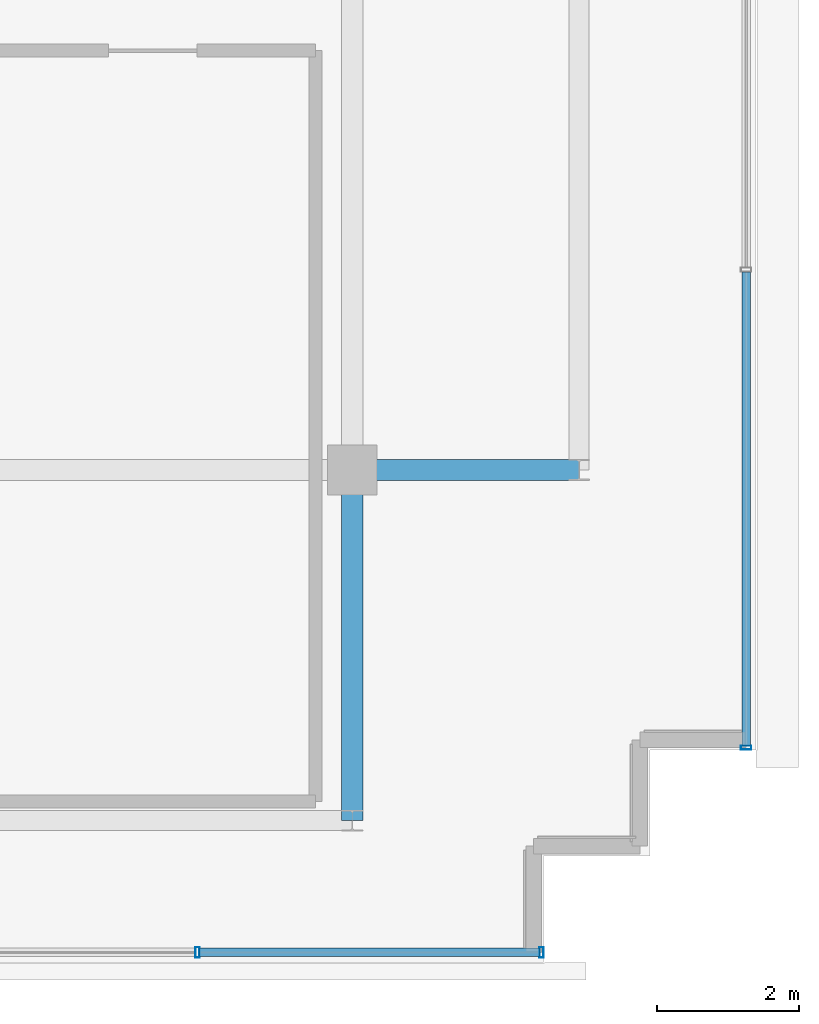
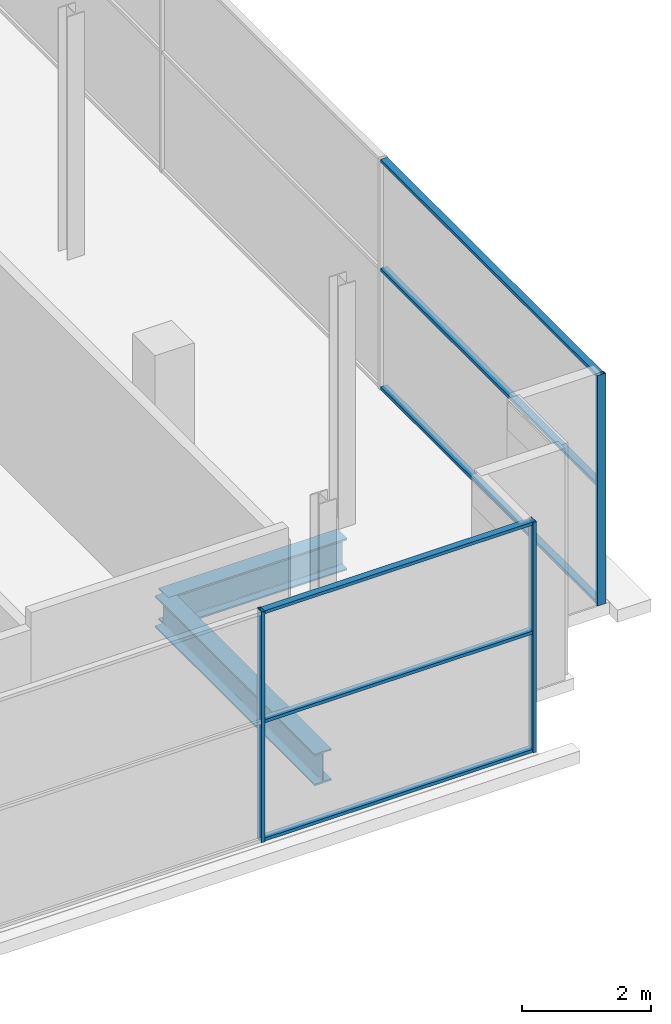
# One storey, part 15 of 28: 9 members, 2 beams, 2 elements without a shape of their own.
"""IFC4 building model written with IfcOpenShell, lengths in metres."""

from ifc_helpers import new_model, si_unit, direction, frame, origin, origin_2d, place, context, subcontext, project, spatial, hollow_rectangle, i_section, extrude, source, transform, mapped, material, layer, layer_set, material_profile, profile_set, type_object, element, aggregate, save


model = new_model("IFC4")

# Units and contexts
model_context = context("Model", 3, precision=1e-05, world=origin(), true_north=direction((0.0, 1.0)))
body_context = subcontext(model_context, "Body", "Model", "MODEL_VIEW")
ifc_project = project(units=[si_unit("LENGTHUNIT", "METRE"), si_unit("AREAUNIT", "SQUARE_METRE"), si_unit("VOLUMEUNIT", "CUBIC_METRE"), si_unit("PLANEANGLEUNIT", "RADIAN"), si_unit("MASSUNIT", "GRAM", prefix="KILO")], contexts=[model_context])

# Site, building, storey
site_placement = place(None, origin())
site = spatial("IfcSite", under=ifc_project, at=site_placement, CompositionType="ELEMENT")
building_placement = place(site_placement, origin())
building = spatial("IfcBuilding", under=site, at=building_placement, Name="Zarnakvel Exchange Tower", CompositionType="ELEMENT")
storey_placement = place(building_placement, frame((0.0, 0.0, 276.199951171875)))
storey = spatial("IfcBuildingStorey", under=building, at=storey_placement, Name="Crown L78", CompositionType="ELEMENT", Elevation=276.199951171875)

# Beams
ifc_material_1 = material(Name="Steel S355", Category="steel")
ifc_material_profile_1 = material_profile(ifc_material_1, i_section(OverallWidth=0.300048828125, OverallDepth=0.60009765625, WebThickness=0.015380859375, FlangeThickness=0.030029296875, FilletRadius=0.027099609375, at=origin_2d()))
ifc_profile_set_1 = profile_set([ifc_material_profile_1], Name="Steel S355")
beam_type = type_object("IfcBeamType", Name="G-04", PredefinedType="BEAM", material=ifc_profile_set_1)
beam_1_placement = place(storey_placement, frame((14.39990234375, -9.60009765625, -0.52001953125), z_axis=(1.0, 0.0, 0.0), x_axis=(0.0, 1.0, 0.0)))
element("IfcBeam", 1, at=beam_1_placement, inside=storey, type_object=beam_type, Name="Crown L78 Tower E-W Frame Beam", PredefinedType="BEAM", context=body_context, shape_type="SweptSolid", body=[
    extrude(i_section(OverallWidth=0.300048828125, OverallDepth=0.60009765625, WebThickness=0.015380859375, FlangeThickness=0.030029296875, FilletRadius=0.027099609375, at=origin_2d()), origin(), (0.0, 0.0, 1.0), 3.2001953125),
])
beam_2_placement = place(storey_placement, frame((14.39990234375, -14.550048828125, -0.52001953125), z_axis=(0.0, 1.0, 0.0), x_axis=(-1.0, 0.0, 0.0)))
element("IfcBeam", 2, at=beam_2_placement, inside=storey, type_object=beam_type, Name="Crown L78 Tower N-S Frame Beam", PredefinedType="BEAM", context=body_context, shape_type="SweptSolid", body=[
    extrude(i_section(OverallWidth=0.300048828125, OverallDepth=0.60009765625, WebThickness=0.015380859375, FlangeThickness=0.030029296875, FilletRadius=0.027099609375, at=origin_2d()), origin(), (0.0, 0.0, 1.0), 4.949951171875),
])

# Curtain wall, members
ifc_material_2 = material(Name="Architectural Bronze Anodised Aluminium", Category="aluminium")
ifc_layer = layer(ifc_material_2, 0.14990234375)
ifc_layer_set = layer_set([ifc_layer], Name="Architectural Bronze Anodised Aluminium")
curtain_wall_type = type_object("IfcCurtainWallType", Name="CW-07", PredefinedType="NOTDEFINED", material=ifc_layer_set)
curtain_wall_1_placement = place(storey_placement, origin())
curtain_wall_1 = element("IfcCurtainWall", 3, at=curtain_wall_1_placement, inside=storey, type_object=curtain_wall_type, Name="Crown L78 Curtain Wall CW-Crown L78-S (CW-07)", PredefinedType="NOTDEFINED")
ifc_material_profile_2 = material_profile(ifc_material_2, hollow_rectangle(XDim=0.14990234375, YDim=0.06005859375, WallThickness=0.00390625, at=origin_2d()))
ifc_profile_set_2 = profile_set([ifc_material_profile_2], Name="Architectural Bronze Anodised Aluminium")
member_type_1 = type_object("IfcMemberType", Name="CWM-07", PredefinedType="MULLION", material=ifc_profile_set_2)
shared_shape_1 = source(origin(), body_context, "Body", "SweptSolid", [
    extrude(hollow_rectangle(XDim=0.14990234375, YDim=0.06005859375, WallThickness=0.00390625, at=origin_2d()), origin(), (0.0, 0.0, 1.0), 4.360107421875),
])
member_1_placement = place(storey_placement, frame((12.21435546875, -16.409912109375, 0.0), z_axis=(0.0, 0.0, 1.0), x_axis=(0.0, 1.0, 0.0)))
member_1 = element("IfcMember", 4, at=member_1_placement, type_object=member_type_1, Name="CW-07 mullion 7", PredefinedType="MULLION", context=body_context, shape_type="MappedRepresentation", body=[
    mapped(shared_shape_1, transform((0.0, 0.0, 0.0), x_axis=(1.0, 0.0, 0.0), y_axis=(0.0, 1.0, 0.0), z_axis=(0.0, 0.0, 1.0), scale=1.0)),
])
member_2_placement = place(storey_placement, frame((17.070068359375, -16.409912109375, 0.0), z_axis=(0.0, 0.0, 1.0), x_axis=(0.0, 1.0, 0.0)))
member_2 = element("IfcMember", 5, at=member_2_placement, type_object=member_type_1, Name="CW-07 mullion 8", PredefinedType="MULLION", context=body_context, shape_type="MappedRepresentation", body=[
    mapped(shared_shape_1, transform((0.0, 0.0, 0.0), x_axis=(1.0, 0.0, 0.0), y_axis=(0.0, 1.0, 0.0), z_axis=(0.0, 0.0, 1.0), scale=1.0)),
])

# Curtain wall, member
curtain_wall_2_placement = place(storey_placement, origin())
curtain_wall_2 = element("IfcCurtainWall", 6, at=curtain_wall_2_placement, inside=storey, type_object=curtain_wall_type, Name="Crown L78 Curtain Wall CW-Crown L78-E (CW-07)", PredefinedType="NOTDEFINED")
member_3_placement = place(storey_placement, frame((19.9599609375, -13.52001953125, 0.0), z_axis=(0.0, 0.0, 1.0), x_axis=(-1.0, 0.0, 0.0)))
member_3 = element("IfcMember", 7, at=member_3_placement, type_object=member_type_1, Name="CW-07 mullion 1", PredefinedType="MULLION", context=body_context, shape_type="MappedRepresentation", body=[
    mapped(shared_shape_1, transform((0.0, 0.0, 0.0), x_axis=(1.0, 0.0, 0.0), y_axis=(0.0, 1.0, 0.0), z_axis=(0.0, 0.0, 1.0), scale=1.0)),
])

# Member
ifc_material_profile_3 = material_profile(ifc_material_2, hollow_rectangle(XDim=0.1201171875, YDim=0.06005859375, WallThickness=0.00390625, at=origin_2d()))
ifc_profile_set_3 = profile_set([ifc_material_profile_3], Name="Architectural Bronze Anodised Aluminium")
member_type_2 = type_object("IfcMemberType", Name="CWT-07", PredefinedType="USERDEFINED", material=ifc_profile_set_3)
shared_shape_2 = source(origin(), body_context, "Body", "SweptSolid", [
    extrude(hollow_rectangle(XDim=0.1201171875, YDim=0.06005859375, WallThickness=0.00390625, at=origin_2d()), origin(), (0.0, 0.0, 1.0), 4.795654296875),
])
member_4_placement = place(storey_placement, frame((12.244384765625, -16.409912109375, 0.030029296875), z_axis=(1.0, 0.0, 0.0), x_axis=(0.0, 1.0, 0.0)))
member_4 = element("IfcMember", 8, at=member_4_placement, type_object=member_type_2, Name="CW-07 transom 7.1", ObjectType="TRANSOM", PredefinedType="USERDEFINED", context=body_context, shape_type="MappedRepresentation", body=[
    mapped(shared_shape_2, transform((0.0, 0.0, 0.0), x_axis=(1.0, 0.0, 0.0), y_axis=(0.0, 1.0, 0.0), z_axis=(0.0, 0.0, 1.0), scale=1.0)),
])

member_5_placement = place(storey_placement, frame((12.244384765625, -16.409912109375, 2.267333984375), z_axis=(1.0, 0.0, 0.0), x_axis=(0.0, 1.0, 0.0)))
member_5 = element("IfcMember", 9, at=member_5_placement, type_object=member_type_2, Name="CW-07 transom 7.2", ObjectType="TRANSOM", PredefinedType="USERDEFINED", context=body_context, shape_type="MappedRepresentation", body=[
    mapped(shared_shape_2, transform((0.0, 0.0, 0.0), x_axis=(1.0, 0.0, 0.0), y_axis=(0.0, 1.0, 0.0), z_axis=(0.0, 0.0, 1.0), scale=1.0)),
])

member_6_placement = place(storey_placement, frame((12.244384765625, -16.409912109375, 4.330078125), z_axis=(1.0, 0.0, 0.0), x_axis=(0.0, 1.0, 0.0)))
member_6 = element("IfcMember", 10, at=member_6_placement, type_object=member_type_2, Name="CW-07 transom 7.3", ObjectType="TRANSOM", PredefinedType="USERDEFINED", context=body_context, shape_type="MappedRepresentation", body=[
    mapped(shared_shape_2, transform((0.0, 0.0, 0.0), x_axis=(1.0, 0.0, 0.0), y_axis=(0.0, 1.0, 0.0), z_axis=(0.0, 0.0, 1.0), scale=1.0)),
])

aggregate(curtain_wall_1, [member_1, member_2, member_4, member_5, member_6])

shared_shape_3 = source(origin(), body_context, "Body", "SweptSolid", [
    extrude(hollow_rectangle(XDim=0.1201171875, YDim=0.06005859375, WallThickness=0.00390625, at=origin_2d()), origin(), (0.0, 0.0, 1.0), 6.68505859375),
])
member_7_placement = place(storey_placement, frame((19.9599609375, -13.489990234375, 0.030029296875), z_axis=(0.0, 1.0, 0.0), x_axis=(-1.0, 0.0, 0.0)))
member_7 = element("IfcMember", 11, at=member_7_placement, type_object=member_type_2, Name="CW-07 transom 1.1", ObjectType="TRANSOM", PredefinedType="USERDEFINED", context=body_context, shape_type="MappedRepresentation", body=[
    mapped(shared_shape_3, transform((0.0, 0.0, 0.0), x_axis=(1.0, 0.0, 0.0), y_axis=(0.0, 1.0, 0.0), z_axis=(0.0, 0.0, 1.0), scale=1.0)),
])

member_8_placement = place(storey_placement, frame((19.9599609375, -13.489990234375, 2.267333984375), z_axis=(0.0, 1.0, 0.0), x_axis=(-1.0, 0.0, 0.0)))
member_8 = element("IfcMember", 12, at=member_8_placement, type_object=member_type_2, Name="CW-07 transom 1.2", ObjectType="TRANSOM", PredefinedType="USERDEFINED", context=body_context, shape_type="MappedRepresentation", body=[
    mapped(shared_shape_3, transform((0.0, 0.0, 0.0), x_axis=(1.0, 0.0, 0.0), y_axis=(0.0, 1.0, 0.0), z_axis=(0.0, 0.0, 1.0), scale=1.0)),
])

member_9_placement = place(storey_placement, frame((19.9599609375, -13.489990234375, 4.330078125), z_axis=(0.0, 1.0, 0.0), x_axis=(-1.0, 0.0, 0.0)))
member_9 = element("IfcMember", 13, at=member_9_placement, type_object=member_type_2, Name="CW-07 transom 1.3", ObjectType="TRANSOM", PredefinedType="USERDEFINED", context=body_context, shape_type="MappedRepresentation", body=[
    mapped(shared_shape_3, transform((0.0, 0.0, 0.0), x_axis=(1.0, 0.0, 0.0), y_axis=(0.0, 1.0, 0.0), z_axis=(0.0, 0.0, 1.0), scale=1.0)),
])

aggregate(curtain_wall_2, [member_3, member_7, member_8, member_9])

save(model, "model.ifc")
